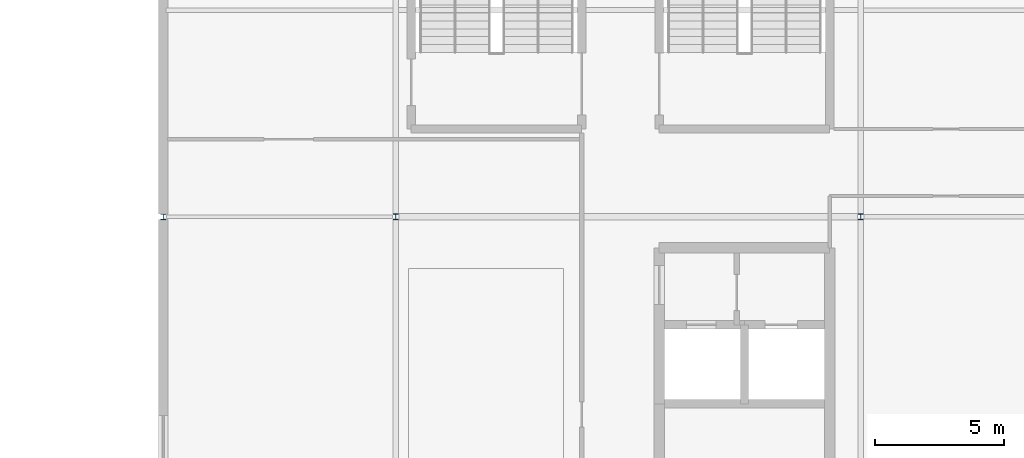
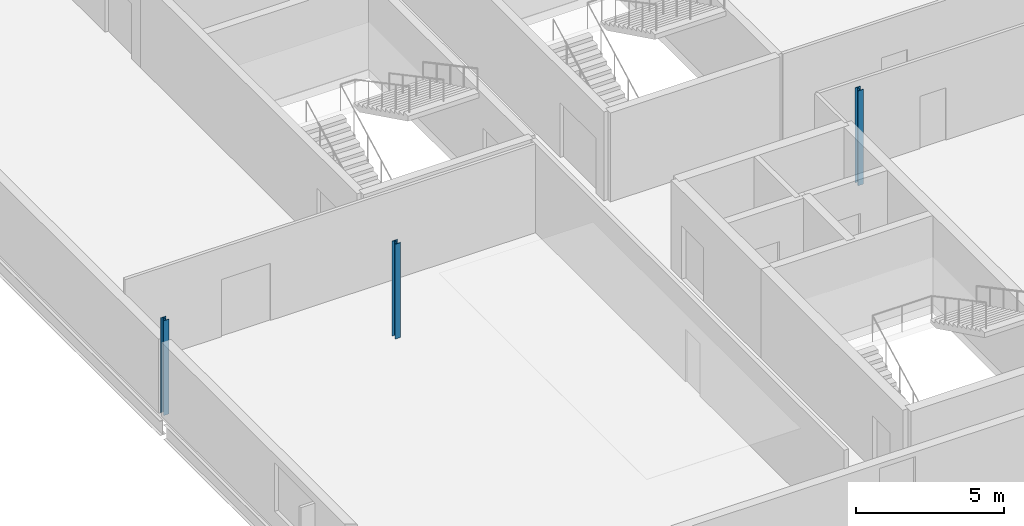
# One storey, part 10 of 35: 3 columns.
"""IFC4 building model written with IfcOpenShell, lengths in metres."""

from ifc_helpers import new_model, si_unit, direction, frame, origin, origin_2d, place, context, subcontext, project, spatial, i_section, extrude, material, material_profile, profile_set, type_object, element, save


model = new_model("IFC4")

# Units and contexts
model_context = context("Model", 3, precision=1e-05, world=origin(), true_north=direction((0.0, 1.0)))
body_context = subcontext(model_context, "Body", "Model", "MODEL_VIEW")
ifc_project = project(units=[si_unit("LENGTHUNIT", "METRE"), si_unit("AREAUNIT", "SQUARE_METRE"), si_unit("VOLUMEUNIT", "CUBIC_METRE"), si_unit("PLANEANGLEUNIT", "RADIAN"), si_unit("MASSUNIT", "GRAM", prefix="KILO")], contexts=[model_context])

# Site, building, storey
site_placement = place(None, origin())
site = spatial("IfcSite", under=ifc_project, at=site_placement, CompositionType="ELEMENT")
building_placement = place(site_placement, origin())
building = spatial("IfcBuilding", under=site, at=building_placement, Name="Kisiwana Market Hall", CompositionType="ELEMENT")
storey_placement = place(building_placement, frame((0.0, 0.0, 57.89990234375)))
storey = spatial("IfcBuildingStorey", under=building, at=storey_placement, Name="L13", CompositionType="ELEMENT", Elevation=57.89990234375)

# Columns
ifc_material_1 = material(Name="Steel S355", Category="steel")
ifc_material_profile_1 = material_profile(ifc_material_1, i_section(OverallWidth=0.205810546875, OverallDepth=0.209716796875, WebThickness=0.009521484375, FlangeThickness=0.01416015625, FilletRadius=0.01025390625, at=origin_2d()), Name="UC 203x203x60")
ifc_profile_set_1 = profile_set([ifc_material_profile_1], Name="Steel S355")
column_type_1 = type_object("IfcColumnType", Name="COL-STL-UC060", PredefinedType="COLUMN", material=ifc_profile_set_1)
column_placement = place(storey_placement, frame((162.0, 36.0, 0.0), z_axis=(0.0, 0.0, 1.0), x_axis=(1.0, 0.0, 0.0)))
element("IfcColumn", 1, at=column_placement, inside=storey, type_object=column_type_1, Name="Column E/19 (L13) C-1421", PredefinedType="COLUMN", context=body_context, shape_type="SweptSolid", body=[
    extrude(i_section(OverallWidth=0.205810546875, OverallDepth=0.209716796875, WebThickness=0.009521484375, FlangeThickness=0.01416015625, FilletRadius=0.01025390625, at=origin_2d()), origin(), (0.0, 0.0, 1.0), 3.900146484375),
])
ifc_material_2 = material(Name="Steel S355", Category="steel")
ifc_material_profile_2 = material_profile(ifc_material_2, i_section(OverallWidth=0.208984375, OverallDepth=0.22216796875, WebThickness=0.0126953125, FlangeThickness=0.0205078125, FilletRadius=0.01025390625, at=origin_2d()), Name="UC 203x203x86")
ifc_profile_set_2 = profile_set([ifc_material_profile_2], Name="Steel S355")
column_type_2 = type_object("IfcColumnType", Name="COL-STL-UC086", PredefinedType="COLUMN", material=ifc_profile_set_2)
for number, where, z_axis, x_axis, name in (
    (2, (171.0, 36.0, 0.0), (0.0, 0.0, 1.0), (1.0, 0.0, 0.0), "Column E/20 (L13) C-1425"),
    (3, (189.0, 36.0, 0.0), (0.0, 0.0, 1.0), (1.0, 0.0, 0.0), "Column E/22 (L13) C-1430"),
):
    element("IfcColumn", number, at=place(storey_placement, frame(where, z_axis=z_axis, x_axis=x_axis)), inside=storey, type_object=column_type_2, Name=name, PredefinedType="COLUMN", context=body_context, shape_type="SweptSolid", body=[
        extrude(i_section(OverallWidth=0.208984375, OverallDepth=0.22216796875, WebThickness=0.0126953125, FlangeThickness=0.0205078125, FilletRadius=0.01025390625, at=origin_2d()), origin(), (0.0, 0.0, 1.0), 3.900146484375),
    ])

save(model, "model.ifc")
